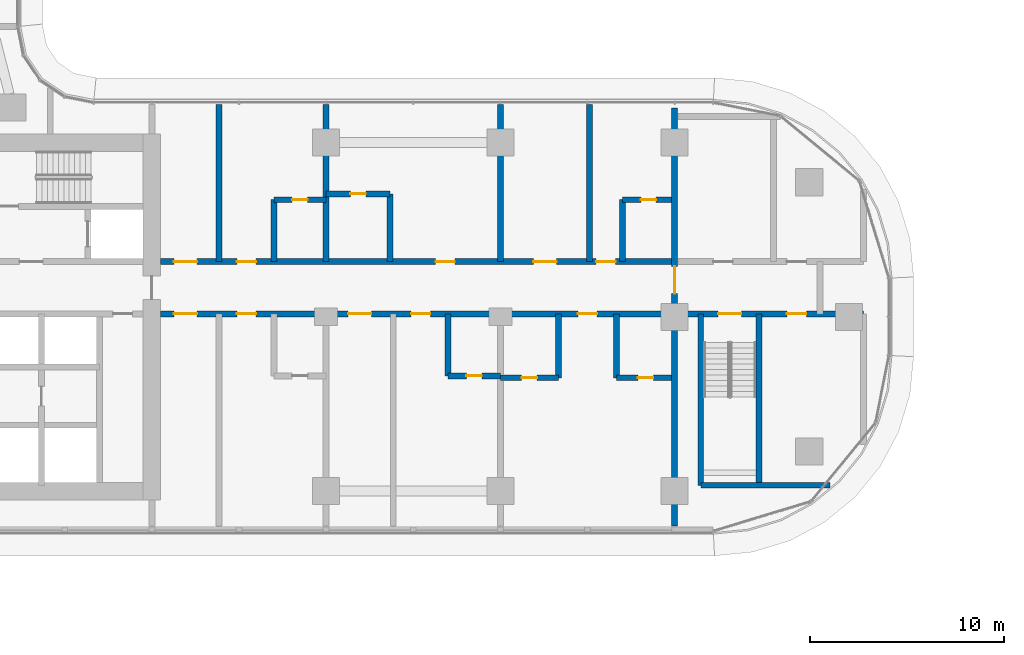
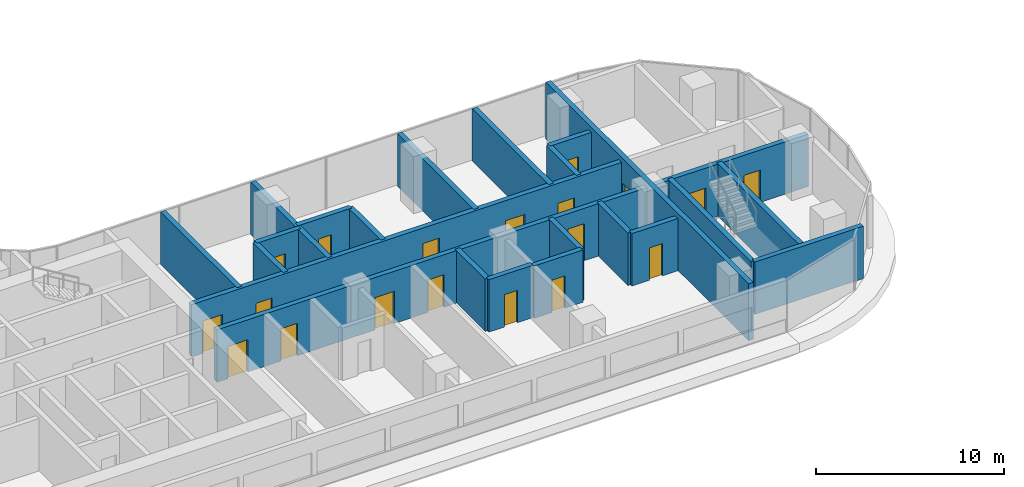
# One storey, part 19 of 36: 23 walls, 19 doors, 19 openings.
"""IFC4 building model written with IfcOpenShell, lengths in metres."""

from ifc_helpers import new_model, si_unit, direction, frame, frame_2d, origin, place, context, subcontext, project, spatial, rectangle, extrude, material, layer, layer_set, type_object, element, fill, save


model = new_model("IFC4")

# Units and contexts
model_context = context("Model", 3, precision=1e-05, world=origin(), true_north=direction((0.0, 1.0)))
body_context = subcontext(model_context, "Body", "Model", "MODEL_VIEW")
ifc_project = project(units=[si_unit("LENGTHUNIT", "METRE"), si_unit("AREAUNIT", "SQUARE_METRE"), si_unit("VOLUMEUNIT", "CUBIC_METRE"), si_unit("PLANEANGLEUNIT", "RADIAN"), si_unit("MASSUNIT", "GRAM", prefix="KILO")], contexts=[model_context])

# Site, building, storey
site_placement = place(None, origin())
site = spatial("IfcSite", under=ifc_project, at=site_placement, CompositionType="ELEMENT")
building_placement = place(site_placement, origin())
building = spatial("IfcBuilding", under=site, at=building_placement, Name="Ogive Portal Towers", CompositionType="ELEMENT")
storey_placement = place(building_placement, frame((0.0, 0.0, 52.0)))
storey = spatial("IfcBuildingStorey", under=building, at=storey_placement, Name="L11", CompositionType="ELEMENT", Elevation=52.0)

# Wall, opening, door
ifc_material_1 = material(Name="Concrete C60/75", Category="concrete")
ifc_layer_1 = layer(ifc_material_1, 0.300048828125)
ifc_layer_set_1 = layer_set([ifc_layer_1], Name="REVEAL WALL 300 C60")
wall_type_1 = type_object("IfcWallType", Name="REVEAL WALL 300 C60", PredefinedType="SHEAR", material=ifc_layer_set_1)
wall_1_placement = place(storey_placement, frame((85.5, 19.705078125, 0.0), z_axis=(0.0, 0.0, 1.0), x_axis=(0.0, 1.0, 0.0)))
wall_1 = element("IfcWall", 1, at=wall_1_placement, inside=storey, type_object=wall_type_1, Name="Portal reveal wall L11", PredefinedType="SHEAR", context=body_context, shape_type="SweptSolid", body=[
    extrude(rectangle(XDim=21.58984375, YDim=0.300048828125, at=frame_2d((10.794921875, 0.0))), origin(), (0.0, 0.0, 1.0), 3.699951171875),
])
opening_1_placement = place(wall_1_placement, frame((11.9951171875, 0.0, 0.0)))
opening_1 = element("IfcOpeningElement", 2, at=opening_1_placement, cuts=wall_1, Name="Opening D03-063", PredefinedType="OPENING", context=body_context, shape_type="SweptSolid", body=[
    extrude(rectangle(XDim=1.39990234375, YDim=2.10009765625, at=frame_2d((0.699951171875, 1.050048828125))), frame((0.0, 0.16015625, 0.0), z_axis=(0.0, -1.0, 0.0), x_axis=(1.0, 0.0, 0.0)), (0.0, 0.0, 1.0), 0.320068359375),
])
ifc_material_2 = material(Name="Steel fire door", Category="steel")
door_type_1 = type_object("IfcDoorType", Name="DT-STAIR-1400x2100-FD90S", OperationType="SINGLE_SWING_LEFT", PredefinedType="DOOR", material=ifc_material_2)
door_1_placement = place(opening_1_placement, origin())
door_1 = element("IfcDoor", 3, at=door_1_placement, inside=storey, type_object=door_type_1, Name="Door D03-063", OperationType="SINGLE_SWING_RIGHT", OverallHeight=2.10009765625, OverallWidth=1.39990234375, PredefinedType="DOOR", context=body_context, shape_type="SweptSolid", body=[
    extrude(rectangle(XDim=1.39990234375, YDim=2.10009765625, at=frame_2d((0.699951171875, 1.050048828125))), frame((0.0, 0.02490234375, 0.0), z_axis=(0.0, -1.0, 0.0), x_axis=(1.0, 0.0, 0.0)), (0.0, 0.0, 1.0), 0.050048828125),
])
fill(opening_1, door_1)

# Wall
ifc_material_3 = material(Name="Concrete C50/60", Category="concrete")
ifc_layer_2 = layer(ifc_material_3, 0.300048828125)
ifc_layer_set_2 = layer_set([ifc_layer_2], Name="STAIR WALL 300 C50")
wall_type_2 = type_object("IfcWallType", Name="STAIR WALL 300 C50", PredefinedType="SHEAR", material=ifc_layer_set_2)
wall_2_placement = place(storey_placement, frame((86.85009765625, 21.800048828125, 0.0), z_axis=(0.0, 0.0, 1.0), x_axis=(1.0, 0.0, 0.0)))
element("IfcWall", 4, at=wall_2_placement, inside=storey, type_object=wall_type_2, Name="Stair wall ST-A4 L11", PredefinedType="SHEAR", context=body_context, shape_type="SweptSolid", body=[
    extrude(rectangle(XDim=6.663818359375, YDim=0.300048828125, at=frame_2d((3.33203125, 0.0))), origin(), (0.0, 0.0, 1.0), 3.39990234375),
])

# Wall, openings, doors
wall_3_placement = place(storey_placement, frame((85.669921875, 30.64990234375, 0.0), z_axis=(0.0, 0.0, 1.0), x_axis=(1.0, 0.0, 0.0)))
wall_3 = element("IfcWall", 5, at=wall_3_placement, inside=storey, type_object=wall_type_2, Name="Stair wall ST-A4 L11", PredefinedType="SHEAR", context=body_context, shape_type="SweptSolid", body=[
    extrude(rectangle(XDim=9.580078125, YDim=0.300048828125, at=frame_2d((4.7900390625, 0.0))), origin(), (0.0, 0.0, 1.0), 3.39990234375),
])
opening_2_placement = place(wall_3_placement, frame((2.080078125, 0.0, 0.0)))
opening_2 = element("IfcOpeningElement", 6, at=opening_2_placement, cuts=wall_3, Name="Opening D03-058", PredefinedType="OPENING", context=body_context, shape_type="SweptSolid", body=[
    extrude(rectangle(XDim=1.199951171875, YDim=2.10009765625, at=frame_2d((0.60009765625, 1.050048828125))), frame((0.0, 0.16015625, 0.0), z_axis=(0.0, -1.0, 0.0), x_axis=(1.0, 0.0, 0.0)), (0.0, 0.0, 1.0), 0.320068359375),
])
opening_3_placement = place(wall_3_placement, frame((5.6298828125, 0.0, 0.0)))
opening_3 = element("IfcOpeningElement", 7, at=opening_3_placement, cuts=wall_3, Name="Opening D03-061", PredefinedType="OPENING", context=body_context, shape_type="SweptSolid", body=[
    extrude(rectangle(XDim=1.0, YDim=2.10009765625, at=frame_2d((0.5, 1.050048828125))), frame((0.0, 0.16015625, 0.0), z_axis=(0.0, -1.0, 0.0), x_axis=(1.0, 0.0, 0.0)), (0.0, 0.0, 1.0), 0.320068359375),
])
door_type_2 = type_object("IfcDoorType", Name="DT-SERVICE-1000x2100-FD90S", OperationType="SINGLE_SWING_LEFT", PredefinedType="DOOR", material=ifc_material_2)
door_2_placement = place(opening_3_placement, origin())
door_2 = element("IfcDoor", 8, at=door_2_placement, inside=storey, type_object=door_type_2, Name="Door D03-061", OperationType="SINGLE_SWING_LEFT", OverallHeight=2.10009765625, OverallWidth=1.0, PredefinedType="DOOR", context=body_context, shape_type="SweptSolid", body=[
    extrude(rectangle(XDim=1.0, YDim=2.10009765625, at=frame_2d((0.5, 1.050048828125))), frame((0.0, 0.02490234375, 0.0), z_axis=(0.0, -1.0, 0.0), x_axis=(1.0, 0.0, 0.0)), (0.0, 0.0, 1.0), 0.050048828125),
])
fill(opening_3, door_2)
door_type_3 = type_object("IfcDoorType", Name="DT-STAIR-1200x2100-FD90S", OperationType="SINGLE_SWING_LEFT", PredefinedType="DOOR", material=ifc_material_2)
door_3_placement = place(opening_2_placement, origin())
door_3 = element("IfcDoor", 9, at=door_3_placement, inside=storey, type_object=door_type_3, Name="Door D03-058", OperationType="SINGLE_SWING_LEFT", OverallHeight=2.10009765625, OverallWidth=1.199951171875, PredefinedType="DOOR", context=body_context, shape_type="SweptSolid", body=[
    extrude(rectangle(XDim=1.199951171875, YDim=2.10009765625, at=frame_2d((0.60009765625, 1.050048828125))), frame((0.0, 0.02490234375, 0.0), z_axis=(0.0, -1.0, 0.0), x_axis=(1.0, 0.0, 0.0)), (0.0, 0.0, 1.0), 0.050048828125),
])
fill(opening_2, door_3)

# Walls
for number, where, z_axis, x_axis, name in (
    (10, (86.85009765625, 21.800048828125, 0.0), (0.0, 0.0, 1.0), (0.0, 1.0, 0.0), "Stair wall ST-A4 L11"),
    (11, (89.85009765625, 21.800048828125, 0.0), (0.0, 0.0, 1.0), (0.0, 1.0, 0.0), "Stair wall ST-A4 L11"),
):
    element("IfcWall", number, at=place(storey_placement, frame(where, z_axis=z_axis, x_axis=x_axis)), inside=storey, type_object=wall_type_2, Name=name, PredefinedType="SHEAR", context=body_context, shape_type="SweptSolid", body=[
        extrude(rectangle(XDim=8.849853515625, YDim=0.300048828125, at=frame_2d((4.4248046875, 0.0))), origin(), (0.0, 0.0, 1.0), 3.39990234375),
    ])

# Wall, openings, doors
ifc_material_4 = material(Name="Gypsum board partition on steel studs", Category="steel")
ifc_layer_3 = layer(ifc_material_4, 0.300048828125)
ifc_layer_set_3 = layer_set([ifc_layer_3], Name="WT-PART-300-EI 120")
wall_type_3 = type_object("IfcWallType", Name="WT-PART-300-EI 120", PredefinedType="PARTITIONING", material=ifc_layer_set_3)
wall_4_placement = place(storey_placement, frame((58.949951171875, 30.64990234375, 0.0), z_axis=(0.0, 0.0, 1.0), x_axis=(1.0, 0.0, 0.0)))
wall_4 = element("IfcWall", 12, at=wall_4_placement, inside=storey, type_object=wall_type_3, Name="Wall L11:w006", PredefinedType="PARTITIONING", context=body_context, shape_type="SweptSolid", body=[
    extrude(rectangle(XDim=26.380126953125, YDim=0.300048828125, at=frame_2d((13.18994140625, 0.0))), origin(), (0.0, 0.0, 1.0), 3.39990234375),
])
opening_4_placement = place(wall_4_placement, frame((0.68505859375, 0.0, 0.0)))
opening_4 = element("IfcOpeningElement", 13, at=opening_4_placement, cuts=wall_4, Name="Opening D03-029", PredefinedType="OPENING", context=body_context, shape_type="SweptSolid", body=[
    extrude(rectangle(XDim=1.199951171875, YDim=2.10009765625, at=frame_2d((0.60009765625, 1.050048828125))), frame((0.0, 0.16015625, 0.0), z_axis=(0.0, -1.0, 0.0), x_axis=(1.0, 0.0, 0.0)), (0.0, 0.0, 1.0), 0.320068359375),
])
opening_5_placement = place(wall_4_placement, frame((3.93505859375, 0.0, 0.0)))
opening_5 = element("IfcOpeningElement", 14, at=opening_5_placement, cuts=wall_4, Name="Opening D03-031", PredefinedType="OPENING", context=body_context, shape_type="SweptSolid", body=[
    extrude(rectangle(XDim=1.0, YDim=2.10009765625, at=frame_2d((0.5, 1.050048828125))), frame((0.0, 0.16015625, 0.0), z_axis=(0.0, -1.0, 0.0), x_axis=(1.0, 0.0, 0.0)), (0.0, 0.0, 1.0), 0.320068359375),
])
opening_6_placement = place(wall_4_placement, frame((9.68505859375, 0.0, 0.0)))
opening_6 = element("IfcOpeningElement", 15, at=opening_6_placement, cuts=wall_4, Name="Opening D03-034", PredefinedType="OPENING", context=body_context, shape_type="SweptSolid", body=[
    extrude(rectangle(XDim=1.199951171875, YDim=2.10009765625, at=frame_2d((0.60009765625, 1.050048828125))), frame((0.0, 0.16015625, 0.0), z_axis=(0.0, -1.0, 0.0), x_axis=(1.0, 0.0, 0.0)), (0.0, 0.0, 1.0), 0.320068359375),
])
opening_7_placement = place(wall_4_placement, frame((12.93505859375, 0.0, 0.0)))
opening_7 = element("IfcOpeningElement", 16, at=opening_7_placement, cuts=wall_4, Name="Opening D03-036", PredefinedType="OPENING", context=body_context, shape_type="SweptSolid", body=[
    extrude(rectangle(XDim=1.0, YDim=2.10009765625, at=frame_2d((0.5, 1.050048828125))), frame((0.0, 0.16015625, 0.0), z_axis=(0.0, -1.0, 0.0), x_axis=(1.0, 0.0, 0.0)), (0.0, 0.0, 1.0), 0.320068359375),
])
opening_8_placement = place(wall_4_placement, frame((21.550048828125, 0.0, 0.0)))
opening_8 = element("IfcOpeningElement", 17, at=opening_8_placement, cuts=wall_4, Name="Opening D03-042", PredefinedType="OPENING", context=body_context, shape_type="SweptSolid", body=[
    extrude(rectangle(XDim=1.0, YDim=2.39990234375, at=frame_2d((0.5, 1.199951171875))), frame((0.0, 0.16015625, 0.0), z_axis=(0.0, -1.0, 0.0), x_axis=(1.0, 0.0, 0.0)), (0.0, 0.0, 1.0), 0.320068359375),
])
door_type_4 = type_object("IfcDoorType", Name="DT-ENTRY-1000x2100-FD90S", OperationType="SINGLE_SWING_LEFT", PredefinedType="DOOR", material=ifc_material_2)
door_4_placement = place(opening_5_placement, origin())
door_4 = element("IfcDoor", 18, at=door_4_placement, inside=storey, type_object=door_type_4, Name="Door D03-031", OperationType="SINGLE_SWING_LEFT", OverallHeight=2.10009765625, OverallWidth=1.0, PredefinedType="DOOR", context=body_context, shape_type="SweptSolid", body=[
    extrude(rectangle(XDim=1.0, YDim=2.10009765625, at=frame_2d((0.5, 1.050048828125))), frame((0.0, 0.02490234375, 0.0), z_axis=(0.0, -1.0, 0.0), x_axis=(1.0, 0.0, 0.0)), (0.0, 0.0, 1.0), 0.050048828125),
])
fill(opening_5, door_4)
door_5_placement = place(opening_7_placement, origin())
door_5 = element("IfcDoor", 19, at=door_5_placement, inside=storey, type_object=door_type_4, Name="Door D03-036", OperationType="SINGLE_SWING_LEFT", OverallHeight=2.10009765625, OverallWidth=1.0, PredefinedType="DOOR", context=body_context, shape_type="SweptSolid", body=[
    extrude(rectangle(XDim=1.0, YDim=2.10009765625, at=frame_2d((0.5, 1.050048828125))), frame((0.0, 0.02490234375, 0.0), z_axis=(0.0, -1.0, 0.0), x_axis=(1.0, 0.0, 0.0)), (0.0, 0.0, 1.0), 0.050048828125),
])
fill(opening_7, door_5)
door_type_5 = type_object("IfcDoorType", Name="DT-ENTRY-1000x2400-FD90S", OperationType="SINGLE_SWING_LEFT", PredefinedType="DOOR", material=ifc_material_2)
door_6_placement = place(opening_8_placement, origin())
door_6 = element("IfcDoor", 20, at=door_6_placement, inside=storey, type_object=door_type_5, Name="Door D03-042", OperationType="SINGLE_SWING_RIGHT", OverallHeight=2.39990234375, OverallWidth=1.0, PredefinedType="DOOR", context=body_context, shape_type="SweptSolid", body=[
    extrude(rectangle(XDim=1.0, YDim=2.39990234375, at=frame_2d((0.5, 1.199951171875))), frame((0.0, 0.02490234375, 0.0), z_axis=(0.0, -1.0, 0.0), x_axis=(1.0, 0.0, 0.0)), (0.0, 0.0, 1.0), 0.050048828125),
])
fill(opening_8, door_6)
door_type_6 = type_object("IfcDoorType", Name="DT-ENTRY-1200x2100-FD90S", OperationType="SINGLE_SWING_LEFT", PredefinedType="DOOR", material=ifc_material_2)
door_7_placement = place(opening_4_placement, origin())
door_7 = element("IfcDoor", 21, at=door_7_placement, inside=storey, type_object=door_type_6, Name="Door D03-029", OperationType="SINGLE_SWING_LEFT", OverallHeight=2.10009765625, OverallWidth=1.199951171875, PredefinedType="DOOR", context=body_context, shape_type="SweptSolid", body=[
    extrude(rectangle(XDim=1.199951171875, YDim=2.10009765625, at=frame_2d((0.60009765625, 1.050048828125))), frame((0.0, 0.02490234375, 0.0), z_axis=(0.0, -1.0, 0.0), x_axis=(1.0, 0.0, 0.0)), (0.0, 0.0, 1.0), 0.050048828125),
])
fill(opening_4, door_7)
door_8_placement = place(opening_6_placement, origin())
door_8 = element("IfcDoor", 22, at=door_8_placement, inside=storey, type_object=door_type_6, Name="Door D03-034", OperationType="SINGLE_SWING_RIGHT", OverallHeight=2.10009765625, OverallWidth=1.199951171875, PredefinedType="DOOR", context=body_context, shape_type="SweptSolid", body=[
    extrude(rectangle(XDim=1.199951171875, YDim=2.10009765625, at=frame_2d((0.60009765625, 1.050048828125))), frame((0.0, 0.02490234375, 0.0), z_axis=(0.0, -1.0, 0.0), x_axis=(1.0, 0.0, 0.0)), (0.0, 0.0, 1.0), 0.050048828125),
])
fill(opening_6, door_8)

wall_5_placement = place(storey_placement, frame((58.949951171875, 33.35009765625, 0.0), z_axis=(0.0, 0.0, 1.0), x_axis=(1.0, 0.0, 0.0)))
wall_5 = element("IfcWall", 23, at=wall_5_placement, inside=storey, type_object=wall_type_3, Name="Wall L11:w008", PredefinedType="PARTITIONING", context=body_context, shape_type="SweptSolid", body=[
    extrude(rectangle(XDim=26.380126953125, YDim=0.300048828125, at=frame_2d((13.18994140625, 0.0))), origin(), (0.0, 0.0, 1.0), 3.39990234375),
])
opening_9_placement = place(wall_5_placement, frame((0.68505859375, 0.0, 0.0)))
opening_9 = element("IfcOpeningElement", 24, at=opening_9_placement, cuts=wall_5, Name="Opening D03-026", PredefinedType="OPENING", context=body_context, shape_type="SweptSolid", body=[
    extrude(rectangle(XDim=1.199951171875, YDim=2.10009765625, at=frame_2d((0.60009765625, 1.050048828125))), frame((0.0, 0.16015625, 0.0), z_axis=(0.0, -1.0, 0.0), x_axis=(1.0, 0.0, 0.0)), (0.0, 0.0, 1.0), 0.320068359375),
])
opening_10_placement = place(wall_5_placement, frame((3.93505859375, 0.0, 0.0)))
opening_10 = element("IfcOpeningElement", 25, at=opening_10_placement, cuts=wall_5, Name="Opening D03-028", PredefinedType="OPENING", context=body_context, shape_type="SweptSolid", body=[
    extrude(rectangle(XDim=1.0, YDim=2.10009765625, at=frame_2d((0.5, 1.050048828125))), frame((0.0, 0.16015625, 0.0), z_axis=(0.0, -1.0, 0.0), x_axis=(1.0, 0.0, 0.0)), (0.0, 0.0, 1.0), 0.320068359375),
])
opening_11_placement = place(wall_5_placement, frame((14.199951171875, 0.0, 0.0)))
opening_11 = element("IfcOpeningElement", 26, at=opening_11_placement, cuts=wall_5, Name="Opening D03-033", PredefinedType="OPENING", context=body_context, shape_type="SweptSolid", body=[
    extrude(rectangle(XDim=1.0, YDim=2.39990234375, at=frame_2d((0.5, 1.199951171875))), frame((0.0, 0.16015625, 0.0), z_axis=(0.0, -1.0, 0.0), x_axis=(1.0, 0.0, 0.0)), (0.0, 0.0, 1.0), 0.320068359375),
])
opening_12_placement = place(wall_5_placement, frame((19.25, 0.0, 0.0)))
opening_12 = element("IfcOpeningElement", 27, at=opening_12_placement, cuts=wall_5, Name="Opening D03-037", PredefinedType="OPENING", context=body_context, shape_type="SweptSolid", body=[
    extrude(rectangle(XDim=1.199951171875, YDim=2.10009765625, at=frame_2d((0.60009765625, 1.050048828125))), frame((0.0, 0.16015625, 0.0), z_axis=(0.0, -1.0, 0.0), x_axis=(1.0, 0.0, 0.0)), (0.0, 0.0, 1.0), 0.320068359375),
])
opening_13_placement = place(wall_5_placement, frame((22.5, 0.0, 0.0)))
opening_13 = element("IfcOpeningElement", 28, at=opening_13_placement, cuts=wall_5, Name="Opening D03-039", PredefinedType="OPENING", context=body_context, shape_type="SweptSolid", body=[
    extrude(rectangle(XDim=1.0, YDim=2.10009765625, at=frame_2d((0.5, 1.050048828125))), frame((0.0, 0.16015625, 0.0), z_axis=(0.0, -1.0, 0.0), x_axis=(1.0, 0.0, 0.0)), (0.0, 0.0, 1.0), 0.320068359375),
])
door_9_placement = place(opening_10_placement, origin())
door_9 = element("IfcDoor", 29, at=door_9_placement, inside=storey, type_object=door_type_4, Name="Door D03-028", OperationType="SINGLE_SWING_LEFT", OverallHeight=2.10009765625, OverallWidth=1.0, PredefinedType="DOOR", context=body_context, shape_type="SweptSolid", body=[
    extrude(rectangle(XDim=1.0, YDim=2.10009765625, at=frame_2d((0.5, 1.050048828125))), frame((0.0, 0.02490234375, 0.0), z_axis=(0.0, -1.0, 0.0), x_axis=(1.0, 0.0, 0.0)), (0.0, 0.0, 1.0), 0.050048828125),
])
fill(opening_10, door_9)
door_10_placement = place(opening_13_placement, origin())
door_10 = element("IfcDoor", 30, at=door_10_placement, inside=storey, type_object=door_type_4, Name="Door D03-039", OperationType="SINGLE_SWING_LEFT", OverallHeight=2.10009765625, OverallWidth=1.0, PredefinedType="DOOR", context=body_context, shape_type="SweptSolid", body=[
    extrude(rectangle(XDim=1.0, YDim=2.10009765625, at=frame_2d((0.5, 1.050048828125))), frame((0.0, 0.02490234375, 0.0), z_axis=(0.0, -1.0, 0.0), x_axis=(1.0, 0.0, 0.0)), (0.0, 0.0, 1.0), 0.050048828125),
])
fill(opening_13, door_10)
door_11_placement = place(opening_11_placement, origin())
door_11 = element("IfcDoor", 31, at=door_11_placement, inside=storey, type_object=door_type_5, Name="Door D03-033", OperationType="SINGLE_SWING_LEFT", OverallHeight=2.39990234375, OverallWidth=1.0, PredefinedType="DOOR", context=body_context, shape_type="SweptSolid", body=[
    extrude(rectangle(XDim=1.0, YDim=2.39990234375, at=frame_2d((0.5, 1.199951171875))), frame((0.0, 0.02490234375, 0.0), z_axis=(0.0, -1.0, 0.0), x_axis=(1.0, 0.0, 0.0)), (0.0, 0.0, 1.0), 0.050048828125),
])
fill(opening_11, door_11)
door_12_placement = place(opening_9_placement, origin())
door_12 = element("IfcDoor", 32, at=door_12_placement, inside=storey, type_object=door_type_6, Name="Door D03-026", OperationType="SINGLE_SWING_LEFT", OverallHeight=2.10009765625, OverallWidth=1.199951171875, PredefinedType="DOOR", context=body_context, shape_type="SweptSolid", body=[
    extrude(rectangle(XDim=1.199951171875, YDim=2.10009765625, at=frame_2d((0.60009765625, 1.050048828125))), frame((0.0, 0.02490234375, 0.0), z_axis=(0.0, -1.0, 0.0), x_axis=(1.0, 0.0, 0.0)), (0.0, 0.0, 1.0), 0.050048828125),
])
fill(opening_9, door_12)
door_13_placement = place(opening_12_placement, origin())
door_13 = element("IfcDoor", 33, at=door_13_placement, inside=storey, type_object=door_type_6, Name="Door D03-037", OperationType="SINGLE_SWING_RIGHT", OverallHeight=2.10009765625, OverallWidth=1.199951171875, PredefinedType="DOOR", context=body_context, shape_type="SweptSolid", body=[
    extrude(rectangle(XDim=1.199951171875, YDim=2.10009765625, at=frame_2d((0.60009765625, 1.050048828125))), frame((0.0, 0.02490234375, 0.0), z_axis=(0.0, -1.0, 0.0), x_axis=(1.0, 0.0, 0.0)), (0.0, 0.0, 1.0), 0.050048828125),
])
fill(opening_12, door_13)

# Wall, opening, door
ifc_layer_4 = layer(ifc_material_4, 0.300048828125)
ifc_layer_set_4 = layer_set([ifc_layer_4], Name="WT-PART-300-EI 60")
wall_type_4 = type_object("IfcWallType", Name="WT-PART-300-EI 60", PredefinedType="PARTITIONING", material=ifc_layer_set_4)
wall_6_placement = place(storey_placement, frame((76.5, 27.35009765625, 0.0), z_axis=(0.0, 0.0, 1.0), x_axis=(1.0, 0.0, 0.0)))
wall_6 = element("IfcWall", 34, at=wall_6_placement, inside=storey, type_object=wall_type_4, Name="Wall L11:w002", PredefinedType="PARTITIONING", context=body_context, shape_type="SweptSolid", body=[
    extrude(rectangle(XDim=3.0, YDim=0.300048828125, at=frame_2d((1.5, 0.0))), origin(), (0.0, 0.0, 1.0), 3.39990234375),
])
opening_14_placement = place(wall_6_placement, frame((1.10009765625, 0.0, 0.0)))
opening_14 = element("IfcOpeningElement", 35, at=opening_14_placement, cuts=wall_6, Name="Opening D03-040", PredefinedType="OPENING", context=body_context, shape_type="SweptSolid", body=[
    extrude(rectangle(XDim=0.800048828125, YDim=2.10009765625, at=frame_2d((0.39990234375, 1.050048828125))), frame((0.0, 0.16015625, 0.0), z_axis=(0.0, -1.0, 0.0), x_axis=(1.0, 0.0, 0.0)), (0.0, 0.0, 1.0), 0.320068359375),
])
door_type_7 = type_object("IfcDoorType", Name="DT-BATH-800x2100-FD60S", OperationType="SINGLE_SWING_LEFT", PredefinedType="DOOR", material=ifc_material_2)
door_14_placement = place(opening_14_placement, origin())
door_14 = element("IfcDoor", 36, at=door_14_placement, inside=storey, type_object=door_type_7, Name="Door D03-040", OperationType="SINGLE_SWING_LEFT", OverallHeight=2.10009765625, OverallWidth=0.800048828125, PredefinedType="DOOR", context=body_context, shape_type="SweptSolid", body=[
    extrude(rectangle(XDim=0.800048828125, YDim=2.10009765625, at=frame_2d((0.39990234375, 1.050048828125))), frame((0.0, 0.02490234375, 0.0), z_axis=(0.0, -1.0, 0.0), x_axis=(1.0, 0.0, 0.0)), (0.0, 0.0, 1.0), 0.050048828125),
])
fill(opening_14, door_14)

wall_7_placement = place(storey_placement, frame((82.5, 27.35009765625, 0.0), z_axis=(0.0, 0.0, 1.0), x_axis=(1.0, 0.0, 0.0)))
wall_7 = element("IfcWall", 37, at=wall_7_placement, inside=storey, type_object=wall_type_4, Name="Wall L11:w003", PredefinedType="PARTITIONING", context=body_context, shape_type="SweptSolid", body=[
    extrude(rectangle(XDim=2.830078125, YDim=0.300048828125, at=frame_2d((1.4150390625, 0.0))), origin(), (0.0, 0.0, 1.0), 3.39990234375),
])
opening_15_placement = place(wall_7_placement, frame((1.10009765625, 0.0, 0.0)))
opening_15 = element("IfcOpeningElement", 38, at=opening_15_placement, cuts=wall_7, Name="Opening D03-041", PredefinedType="OPENING", context=body_context, shape_type="SweptSolid", body=[
    extrude(rectangle(XDim=0.800048828125, YDim=2.10009765625, at=frame_2d((0.39990234375, 1.050048828125))), frame((0.0, 0.16015625, 0.0), z_axis=(0.0, -1.0, 0.0), x_axis=(1.0, 0.0, 0.0)), (0.0, 0.0, 1.0), 0.320068359375),
])
door_15_placement = place(opening_15_placement, origin())
door_15 = element("IfcDoor", 39, at=door_15_placement, inside=storey, type_object=door_type_7, Name="Door D03-041", OperationType="SINGLE_SWING_LEFT", OverallHeight=2.10009765625, OverallWidth=0.800048828125, PredefinedType="DOOR", context=body_context, shape_type="SweptSolid", body=[
    extrude(rectangle(XDim=0.800048828125, YDim=2.10009765625, at=frame_2d((0.39990234375, 1.050048828125))), frame((0.0, 0.02490234375, 0.0), z_axis=(0.0, -1.0, 0.0), x_axis=(1.0, 0.0, 0.0)), (0.0, 0.0, 1.0), 0.050048828125),
])
fill(opening_15, door_15)

wall_8_placement = place(storey_placement, frame((73.800048828125, 27.449951171875, 0.0), z_axis=(0.0, 0.0, 1.0), x_axis=(1.0, 0.0, 0.0)))
wall_8 = element("IfcWall", 40, at=wall_8_placement, inside=storey, type_object=wall_type_4, Name="Wall L11:w005", PredefinedType="PARTITIONING", context=body_context, shape_type="SweptSolid", body=[
    extrude(rectangle(XDim=2.699951171875, YDim=0.300048828125, at=frame_2d((1.35009765625, 0.0))), origin(), (0.0, 0.0, 1.0), 3.39990234375),
])
opening_16_placement = place(wall_8_placement, frame((0.949951171875, 0.0, 0.0)))
opening_16 = element("IfcOpeningElement", 41, at=opening_16_placement, cuts=wall_8, Name="Opening D03-035", PredefinedType="OPENING", context=body_context, shape_type="SweptSolid", body=[
    extrude(rectangle(XDim=0.800048828125, YDim=2.10009765625, at=frame_2d((0.39990234375, 1.050048828125))), frame((0.0, 0.16015625, 0.0), z_axis=(0.0, -1.0, 0.0), x_axis=(1.0, 0.0, 0.0)), (0.0, 0.0, 1.0), 0.320068359375),
])
door_16_placement = place(opening_16_placement, origin())
door_16 = element("IfcDoor", 42, at=door_16_placement, inside=storey, type_object=door_type_7, Name="Door D03-035", OperationType="SINGLE_SWING_LEFT", OverallHeight=2.10009765625, OverallWidth=0.800048828125, PredefinedType="DOOR", context=body_context, shape_type="SweptSolid", body=[
    extrude(rectangle(XDim=0.800048828125, YDim=2.10009765625, at=frame_2d((0.39990234375, 1.050048828125))), frame((0.0, 0.02490234375, 0.0), z_axis=(0.0, -1.0, 0.0), x_axis=(1.0, 0.0, 0.0)), (0.0, 0.0, 1.0), 0.050048828125),
])
fill(opening_16, door_16)

wall_9_placement = place(storey_placement, frame((64.800048828125, 36.550048828125, 0.0), z_axis=(0.0, 0.0, 1.0), x_axis=(1.0, 0.0, 0.0)))
wall_9 = element("IfcWall", 43, at=wall_9_placement, inside=storey, type_object=wall_type_4, Name="Wall L11:w010", PredefinedType="PARTITIONING", context=body_context, shape_type="SweptSolid", body=[
    extrude(rectangle(XDim=2.699951171875, YDim=0.300048828125, at=frame_2d((1.35009765625, 0.0))), origin(), (0.0, 0.0, 1.0), 3.39990234375),
])
opening_17_placement = place(wall_9_placement, frame((0.949951171875, 0.0, 0.0)))
opening_17 = element("IfcOpeningElement", 44, at=opening_17_placement, cuts=wall_9, Name="Opening D03-027", PredefinedType="OPENING", context=body_context, shape_type="SweptSolid", body=[
    extrude(rectangle(XDim=0.800048828125, YDim=2.10009765625, at=frame_2d((0.39990234375, 1.050048828125))), frame((0.0, 0.16015625, 0.0), z_axis=(0.0, -1.0, 0.0), x_axis=(1.0, 0.0, 0.0)), (0.0, 0.0, 1.0), 0.320068359375),
])
door_17_placement = place(opening_17_placement, origin())
door_17 = element("IfcDoor", 45, at=door_17_placement, inside=storey, type_object=door_type_7, Name="Door D03-027", OperationType="SINGLE_SWING_RIGHT", OverallHeight=2.10009765625, OverallWidth=0.800048828125, PredefinedType="DOOR", context=body_context, shape_type="SweptSolid", body=[
    extrude(rectangle(XDim=0.800048828125, YDim=2.10009765625, at=frame_2d((0.39990234375, 1.050048828125))), frame((0.0, 0.02490234375, 0.0), z_axis=(0.0, -1.0, 0.0), x_axis=(1.0, 0.0, 0.0)), (0.0, 0.0, 1.0), 0.050048828125),
])
fill(opening_17, door_17)

wall_10_placement = place(storey_placement, frame((82.800048828125, 36.550048828125, 0.0), z_axis=(0.0, 0.0, 1.0), x_axis=(1.0, 0.0, 0.0)))
wall_10 = element("IfcWall", 46, at=wall_10_placement, inside=storey, type_object=wall_type_4, Name="Wall L11:w011", PredefinedType="PARTITIONING", context=body_context, shape_type="SweptSolid", body=[
    extrude(rectangle(XDim=2.530029296875, YDim=0.300048828125, at=frame_2d((1.26513671875, 0.0))), origin(), (0.0, 0.0, 1.0), 3.39990234375),
])
opening_18_placement = place(wall_10_placement, frame((0.949951171875, 0.0, 0.0)))
opening_18 = element("IfcOpeningElement", 47, at=opening_18_placement, cuts=wall_10, Name="Opening D03-038", PredefinedType="OPENING", context=body_context, shape_type="SweptSolid", body=[
    extrude(rectangle(XDim=0.800048828125, YDim=2.10009765625, at=frame_2d((0.39990234375, 1.050048828125))), frame((0.0, 0.16015625, 0.0), z_axis=(0.0, -1.0, 0.0), x_axis=(1.0, 0.0, 0.0)), (0.0, 0.0, 1.0), 0.320068359375),
])
door_18_placement = place(opening_18_placement, origin())
door_18 = element("IfcDoor", 48, at=door_18_placement, inside=storey, type_object=door_type_7, Name="Door D03-038", OperationType="SINGLE_SWING_LEFT", OverallHeight=2.10009765625, OverallWidth=0.800048828125, PredefinedType="DOOR", context=body_context, shape_type="SweptSolid", body=[
    extrude(rectangle(XDim=0.800048828125, YDim=2.10009765625, at=frame_2d((0.39990234375, 1.050048828125))), frame((0.0, 0.02490234375, 0.0), z_axis=(0.0, -1.0, 0.0), x_axis=(1.0, 0.0, 0.0)), (0.0, 0.0, 1.0), 0.050048828125),
])
fill(opening_18, door_18)

wall_11_placement = place(storey_placement, frame((67.5, 36.85009765625, 0.0), z_axis=(0.0, 0.0, 1.0), x_axis=(1.0, 0.0, 0.0)))
wall_11 = element("IfcWall", 49, at=wall_11_placement, inside=storey, type_object=wall_type_4, Name="Wall L11:w012", PredefinedType="PARTITIONING", context=body_context, shape_type="SweptSolid", body=[
    extrude(rectangle(XDim=3.300048828125, YDim=0.300048828125, at=frame_2d((1.64990234375, 0.0))), origin(), (0.0, 0.0, 1.0), 3.39990234375),
])
opening_19_placement = place(wall_11_placement, frame((1.25, 0.0, 0.0)))
opening_19 = element("IfcOpeningElement", 50, at=opening_19_placement, cuts=wall_11, Name="Opening D03-032", PredefinedType="OPENING", context=body_context, shape_type="SweptSolid", body=[
    extrude(rectangle(XDim=0.800048828125, YDim=2.10009765625, at=frame_2d((0.39990234375, 1.050048828125))), frame((0.0, 0.16015625, 0.0), z_axis=(0.0, -1.0, 0.0), x_axis=(1.0, 0.0, 0.0)), (0.0, 0.0, 1.0), 0.320068359375),
])
door_19_placement = place(opening_19_placement, origin())
door_19 = element("IfcDoor", 51, at=door_19_placement, inside=storey, type_object=door_type_7, Name="Door D03-032", OperationType="SINGLE_SWING_LEFT", OverallHeight=2.10009765625, OverallWidth=0.800048828125, PredefinedType="DOOR", context=body_context, shape_type="SweptSolid", body=[
    extrude(rectangle(XDim=0.800048828125, YDim=2.10009765625, at=frame_2d((0.39990234375, 1.050048828125))), frame((0.0, 0.02490234375, 0.0), z_axis=(0.0, -1.0, 0.0), x_axis=(1.0, 0.0, 0.0)), (0.0, 0.0, 1.0), 0.050048828125),
])
fill(opening_19, door_19)

# Walls
wall_12_placement = place(storey_placement, frame((61.969970703125, 33.35009765625, 0.0), z_axis=(0.0, 0.0, 1.0), x_axis=(0.0, 1.0, 0.0)))
element("IfcWall", 52, at=wall_12_placement, inside=storey, type_object=wall_type_4, Name="Wall L11:w046", PredefinedType="PARTITIONING", context=body_context, shape_type="SweptSolid", body=[
    extrude(rectangle(XDim=8.125, YDim=0.300048828125, at=frame_2d((4.0625, 0.0))), origin(), (0.0, 0.0, 1.0), 3.39990234375),
])
wall_13_placement = place(storey_placement, frame((64.800048828125, 33.35009765625, 0.0), z_axis=(0.0, 0.0, 1.0), x_axis=(0.0, 1.0, 0.0)))
element("IfcWall", 53, at=wall_13_placement, inside=storey, type_object=wall_type_4, Name="Wall L11:w048", PredefinedType="PARTITIONING", context=body_context, shape_type="SweptSolid", body=[
    extrude(rectangle(XDim=3.199951171875, YDim=0.300048828125, at=frame_2d((1.60009765625, 0.0))), origin(), (0.0, 0.0, 1.0), 3.39990234375),
])
wall_14_placement = place(storey_placement, frame((67.5, 33.35009765625, 0.0), z_axis=(0.0, 0.0, 1.0), x_axis=(0.0, 1.0, 0.0)))
element("IfcWall", 54, at=wall_14_placement, inside=storey, type_object=wall_type_4, Name="Wall L11:w050", PredefinedType="PARTITIONING", context=body_context, shape_type="SweptSolid", body=[
    extrude(rectangle(XDim=8.125, YDim=0.300048828125, at=frame_2d((4.0625, 0.0))), origin(), (0.0, 0.0, 1.0), 3.39990234375),
])
wall_15_placement = place(storey_placement, frame((70.800048828125, 33.35009765625, 0.0), z_axis=(0.0, 0.0, 1.0), x_axis=(0.0, 1.0, 0.0)))
element("IfcWall", 55, at=wall_15_placement, inside=storey, type_object=wall_type_4, Name="Wall L11:w051", PredefinedType="PARTITIONING", context=body_context, shape_type="SweptSolid", body=[
    extrude(rectangle(XDim=3.5, YDim=0.300048828125, at=frame_2d((1.75, 0.0))), origin(), (0.0, 0.0, 1.0), 3.39990234375),
])
wall_16_placement = place(storey_placement, frame((73.800048828125, 27.449951171875, 0.0), z_axis=(0.0, 0.0, 1.0), x_axis=(0.0, 1.0, 0.0)))
element("IfcWall", 56, at=wall_16_placement, inside=storey, type_object=wall_type_4, Name="Wall L11:w053", PredefinedType="PARTITIONING", context=body_context, shape_type="SweptSolid", body=[
    extrude(rectangle(XDim=3.199951171875, YDim=0.300048828125, at=frame_2d((1.60009765625, 0.0))), origin(), (0.0, 0.0, 1.0), 3.39990234375),
])
wall_17_placement = place(storey_placement, frame((76.5, 33.35009765625, 0.0), z_axis=(0.0, 0.0, 1.0), x_axis=(0.0, 1.0, 0.0)))
element("IfcWall", 57, at=wall_17_placement, inside=storey, type_object=wall_type_4, Name="Wall L11:w055", PredefinedType="PARTITIONING", context=body_context, shape_type="SweptSolid", body=[
    extrude(rectangle(XDim=8.125, YDim=0.300048828125, at=frame_2d((4.0625, 0.0))), origin(), (0.0, 0.0, 1.0), 3.39990234375),
])
wall_18_placement = place(storey_placement, frame((79.5, 27.35009765625, 0.0), z_axis=(0.0, 0.0, 1.0), x_axis=(0.0, 1.0, 0.0)))
element("IfcWall", 58, at=wall_18_placement, inside=storey, type_object=wall_type_4, Name="Wall L11:w056", PredefinedType="PARTITIONING", context=body_context, shape_type="SweptSolid", body=[
    extrude(rectangle(XDim=3.2998046875, YDim=0.300048828125, at=frame_2d((1.64990234375, 0.0))), origin(), (0.0, 0.0, 1.0), 3.39990234375),
])
wall_19_placement = place(storey_placement, frame((81.10009765625, 33.35009765625, 0.0), z_axis=(0.0, 0.0, 1.0), x_axis=(0.0, 1.0, 0.0)))
element("IfcWall", 59, at=wall_19_placement, inside=storey, type_object=wall_type_4, Name="Wall L11:w057", PredefinedType="PARTITIONING", context=body_context, shape_type="SweptSolid", body=[
    extrude(rectangle(XDim=8.125, YDim=0.300048828125, at=frame_2d((4.0625, 0.0))), origin(), (0.0, 0.0, 1.0), 3.39990234375),
])
wall_20_placement = place(storey_placement, frame((82.5, 27.35009765625, 0.0), z_axis=(0.0, 0.0, 1.0), x_axis=(0.0, 1.0, 0.0)))
element("IfcWall", 60, at=wall_20_placement, inside=storey, type_object=wall_type_4, Name="Wall L11:w058", PredefinedType="PARTITIONING", context=body_context, shape_type="SweptSolid", body=[
    extrude(rectangle(XDim=3.2998046875, YDim=0.300048828125, at=frame_2d((1.64990234375, 0.0))), origin(), (0.0, 0.0, 1.0), 3.39990234375),
])
wall_21_placement = place(storey_placement, frame((82.800048828125, 33.35009765625, 0.0), z_axis=(0.0, 0.0, 1.0), x_axis=(0.0, 1.0, 0.0)))
element("IfcWall", 61, at=wall_21_placement, inside=storey, type_object=wall_type_4, Name="Wall L11:w059", PredefinedType="PARTITIONING", context=body_context, shape_type="SweptSolid", body=[
    extrude(rectangle(XDim=3.199951171875, YDim=0.300048828125, at=frame_2d((1.60009765625, 0.0))), origin(), (0.0, 0.0, 1.0), 3.39990234375),
])

save(model, "model.ifc")
